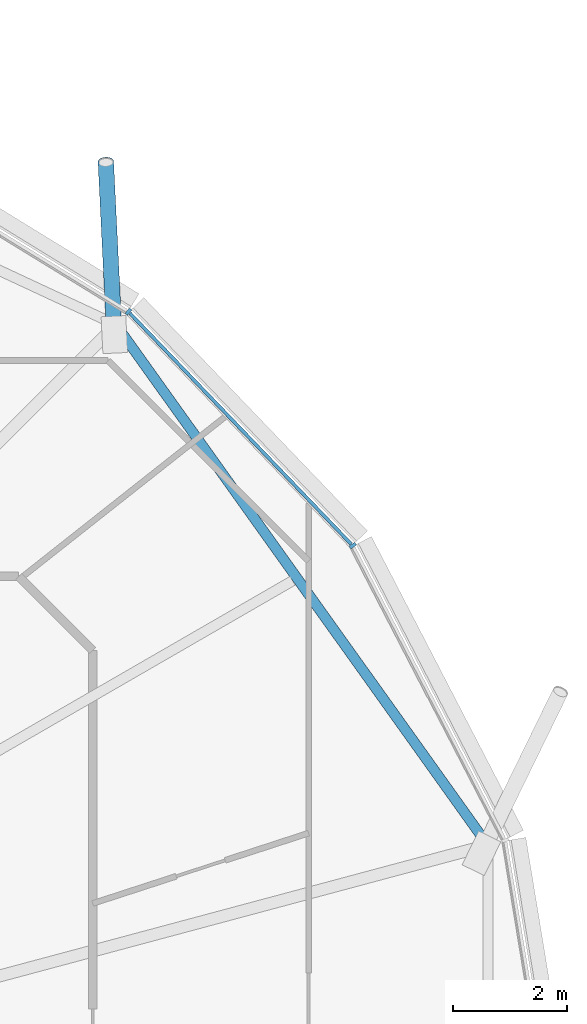
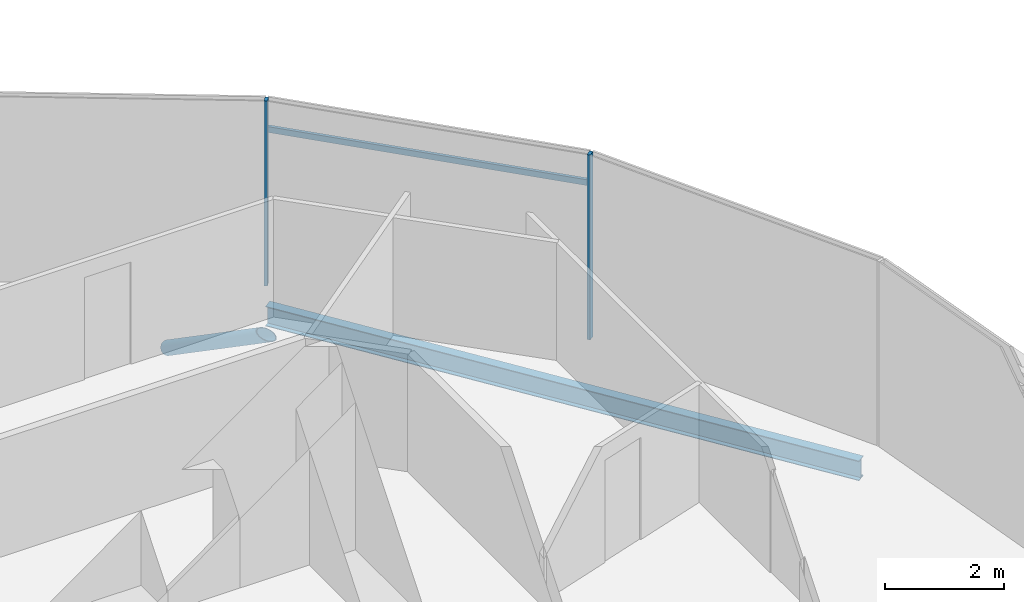
# One storey, part 12 of 38: 4 members, 1 beam, 1 element without a shape of its own.
"""IFC4 building model written with IfcOpenShell, lengths in metres."""

from ifc_helpers import new_model, si_unit, direction, frame, origin, origin_2d, place, context, subcontext, project, spatial, rectangle, hollow_circle, i_section, extrude, clip, halfspace, material, material_profile, profile_set, type_object, element, aggregate, save


model = new_model("IFC4")

# Units and contexts
model_context = context("Model", 3, precision=1e-05, world=origin(), true_north=direction((0.0, 1.0)))
body_context = subcontext(model_context, "Body", "Model", "MODEL_VIEW")
ifc_project = project(units=[si_unit("LENGTHUNIT", "METRE"), si_unit("AREAUNIT", "SQUARE_METRE"), si_unit("VOLUMEUNIT", "CUBIC_METRE"), si_unit("PLANEANGLEUNIT", "RADIAN"), si_unit("MASSUNIT", "GRAM", prefix="KILO")], contexts=[model_context])

# Site, building, storey
site_placement = place(None, origin())
site = spatial("IfcSite", under=ifc_project, at=site_placement, CompositionType="ELEMENT")
building_placement = place(site_placement, origin())
building = spatial("IfcBuilding", under=site, at=building_placement, Name="Rimbun Link Towers", CompositionType="ELEMENT")
storey_placement = place(building_placement, frame((0.0, 0.0, 49.0)))
storey = spatial("IfcBuildingStorey", under=building, at=storey_placement, Name="L11", CompositionType="ELEMENT", Elevation=49.0)

# Curtain wall, members
ifc_material_1 = material(Name="Aluminium 6063-T6 and low-iron glass", Category="aluminium")
curtain_wall_type = type_object("IfcCurtainWallType", Name="CW1 unitised vision wall", PredefinedType="NOTDEFINED", material=ifc_material_1)
curtain_wall_placement = place(storey_placement, origin())
curtain_wall = element("IfcCurtainWall", 1, at=curtain_wall_placement, inside=storey, type_object=curtain_wall_type, Name="CW1 L11 T1", PredefinedType="NOTDEFINED")
ifc_material_2 = material(Name="Aluminium 6063-T6", Category="aluminium")
ifc_material_profile_1 = material_profile(ifc_material_2, rectangle(XDim=0.1201171875, YDim=0.06005859375, at=origin_2d()), Name="MULLION 60X120")
ifc_profile_set_1 = profile_set([ifc_material_profile_1], Name="Aluminium 6063-T6")
member_type_1 = type_object("IfcMemberType", Name="CW1 mullion 60X120", PredefinedType="MULLION", material=ifc_profile_set_1)
member_1_placement = place(storey_placement, frame((-12.772216796875, 10.963623046875, 0.0), z_axis=(0.0, 0.0, 1.0), x_axis=(0.813348990661, 0.581776090426, 0.0)))
member_1 = element("IfcMember", 2, at=member_1_placement, type_object=member_type_1, Name="CW1 mullion", PredefinedType="MULLION", context=body_context, shape_type="SweptSolid", body=[
    extrude(rectangle(XDim=0.1201171875, YDim=0.06005859375, at=origin_2d()), origin(), (0.0, 0.0, 1.0), 3.800048828125),
])
member_2_placement = place(storey_placement, frame((-16.69921875, 15.059814453125, 0.0), z_axis=(0.0, 0.0, 1.0), x_axis=(0.627671952207, 0.778477951141, 0.0)))
member_2 = element("IfcMember", 3, at=member_2_placement, type_object=member_type_1, Name="CW1 mullion", PredefinedType="MULLION", context=body_context, shape_type="SweptSolid", body=[
    extrude(rectangle(XDim=0.1201171875, YDim=0.06005859375, at=origin_2d()), origin(), (0.0, 0.0, 1.0), 3.800048828125),
])
ifc_material_3 = material(Name="Aluminium 6063-T6", Category="aluminium")
ifc_material_profile_2 = material_profile(ifc_material_3, rectangle(XDim=0.06005859375, YDim=0.1201171875, at=origin_2d()), Name="TRANSOM 60X120")
ifc_profile_set_2 = profile_set([ifc_material_profile_2], Name="Aluminium 6063-T6")
member_type_2 = type_object("IfcMemberType", Name="CW1 transom 60X120", PredefinedType="USERDEFINED", material=ifc_profile_set_2)
member_3_placement = place(storey_placement, frame((-16.674072265625, 15.03173828125, 3.199951171875), z_axis=(0.692035114231, -0.721863838041, 0.0), x_axis=(0.721863838041, 0.692035114231, 0.0)))
member_3 = element("IfcMember", 4, at=member_3_placement, type_object=member_type_2, Name="CW1 transom", ObjectType="TRANSOM", PredefinedType="USERDEFINED", context=body_context, shape_type="SweptSolid", body=[
    extrude(rectangle(XDim=0.06005859375, YDim=0.1201171875, at=origin_2d()), origin(), (0.0, 0.0, 1.0), 5.598388671875),
])
aggregate(curtain_wall, [member_1, member_2, member_3])

# Member
ifc_material_4 = material(Name="Steel S355J2H", Category="steel")
ifc_material_profile_3 = material_profile(ifc_material_4, hollow_circle(Radius=0.136474609375, WallThickness=0.012451171875, at=origin_2d()), Name="CHS 273x12.5")
ifc_profile_set_3 = profile_set([ifc_material_profile_3], Name="Steel S355J2H")
member_type_3 = type_object("IfcMemberType", Name="Floor edge link CHS 273x12.5", PredefinedType="BRACE", material=ifc_profile_set_3)
member_4_placement = place(storey_placement, frame((-16.953857421875, 14.796142578125, -0.806396484375), z_axis=(-0.040678505823, 0.826966811341, -0.560777274953), x_axis=(-0.998792362562, -0.049130606427, 0.0)))
element("IfcMember", 5, at=member_4_placement, inside=storey, type_object=member_type_3, Name="Floor edge link T1 L11 03", PredefinedType="BRACE", context=body_context, shape_type="Clipping", body=[
    clip(extrude(hollow_circle(Radius=0.136474609375, WallThickness=0.012451171875, at=origin_2d()), frame((0.0, 0.0, -0.4208984375)), (0.0, 0.0, 1.0), 3.919921875), halfspace(frame((0.0, 0.0, -0.198486328125), z_axis=(0.0, 0.827966694919, -0.560777274953)), False)),
])

# Beam
ifc_material_5 = material(Name="Steel S355J2", Category="steel")
ifc_material_profile_4 = material_profile(ifc_material_5, i_section(OverallWidth=0.177978515625, OverallDepth=0.406494140625, WebThickness=0.0078125, FlangeThickness=0.0126953125, at=origin_2d()), Name="UB 406x178x60")
ifc_profile_set_4 = profile_set([ifc_material_profile_4], Name="Steel S355J2")
beam_type = type_object("IfcBeamType", Name="UB 406x178x60", PredefinedType="BEAM", material=ifc_profile_set_4)
beam_placement = place(storey_placement, frame((-10.472412109375, 5.810791015625, -0.36328125), z_axis=(-0.581398033371, 0.813619276316, 0.0), x_axis=(-0.813619276316, -0.581398033371, 0.0)))
element("IfcBeam", 6, at=beam_placement, inside=storey, type_object=beam_type, Name="Edge beam T1 L11 01-03", PredefinedType="BEAM", context=body_context, shape_type="SweptSolid", body=[
    extrude(i_section(OverallWidth=0.177978515625, OverallDepth=0.406494140625, WebThickness=0.0078125, FlangeThickness=0.0126953125, at=origin_2d()), origin(), (0.0, 0.0, 1.0), 10.97998046875),
])

save(model, "model.ifc")
